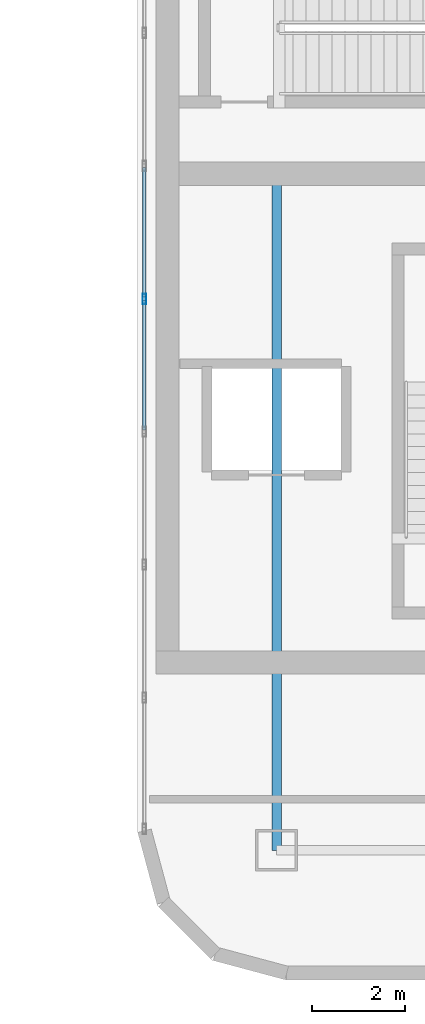
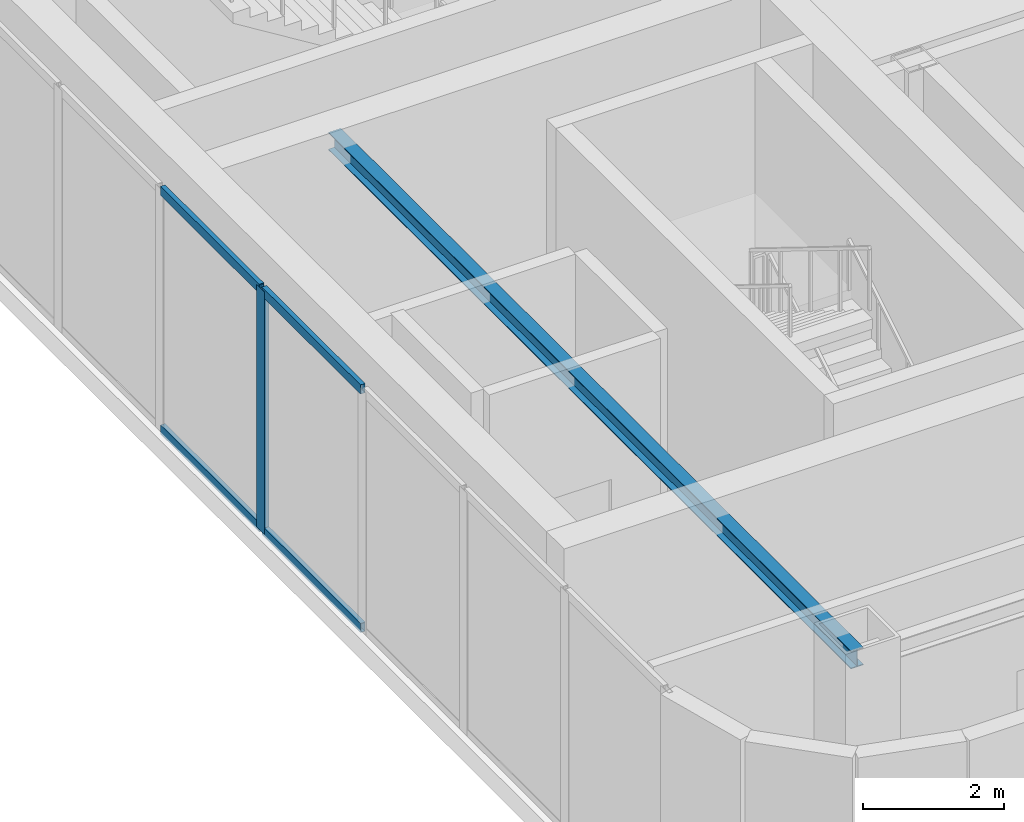
# One storey, part 3 of 13: 5 members, 1 beam, 1 element without a shape of its own.
"""IFC4 building model written with IfcOpenShell, lengths in metres."""

from ifc_helpers import new_model, si_unit, direction, frame, origin, origin_2d, place, context, subcontext, project, spatial, hollow_rectangle, i_section, extrude, material, layer, layer_set, material_profile, profile_set, type_object, element, aggregate, save


model = new_model("IFC4")

# Units and contexts
model_context = context("Model", 3, precision=1e-05, world=origin(), true_north=direction((0.0, 1.0)))
body_context = subcontext(model_context, "Body", "Model", "MODEL_VIEW")
ifc_project = project(units=[si_unit("LENGTHUNIT", "METRE"), si_unit("AREAUNIT", "SQUARE_METRE"), si_unit("VOLUMEUNIT", "CUBIC_METRE"), si_unit("PLANEANGLEUNIT", "RADIAN"), si_unit("MASSUNIT", "GRAM", prefix="KILO")], contexts=[model_context])

# Site, building, storey
site_placement = place(None, origin())
site = spatial("IfcSite", under=ifc_project, at=site_placement, CompositionType="ELEMENT")
building_placement = place(site_placement, origin())
building = spatial("IfcBuilding", under=site, at=building_placement, Name="Kiyonajd Concourse Tower", CompositionType="ELEMENT")
storey_placement = place(building_placement, frame((0.0, 0.0, 363.89990234375)))
storey = spatial("IfcBuildingStorey", under=building, at=storey_placement, Name="L91", CompositionType="ELEMENT", Elevation=363.89990234375)

# Beam
ifc_material_1 = material(Name="Steel ASTM A992 Grade 50", Category="steel")
ifc_material_profile_1 = material_profile(ifc_material_1, i_section(OverallWidth=0.2041015625, OverallDepth=0.305908203125, WebThickness=0.008544921875, FlangeThickness=0.0146484375, at=origin_2d()), Name="W310X67")
ifc_profile_set_1 = profile_set([ifc_material_profile_1], Name="Steel ASTM A992 Grade 50")
beam_type = type_object("IfcBeamType", Name="BM-CRN-310", PredefinedType="BEAM", material=ifc_profile_set_1)
beam_placement = place(storey_placement, frame((56.39990234375, 23.800048828125, 4.007080078125), z_axis=(0.0, 1.0, 0.0), x_axis=(-1.0, 0.0, 0.0)))
element("IfcBeam", 1, at=beam_placement, inside=storey, type_object=beam_type, Name="L91 E Crown Ring Beam 4S", PredefinedType="BEAM", context=body_context, shape_type="SweptSolid", body=[
    extrude(i_section(OverallWidth=0.2041015625, OverallDepth=0.305908203125, WebThickness=0.008544921875, FlangeThickness=0.0146484375, at=origin_2d()), origin(), (0.0, 0.0, 1.0), 14.800048828125),
])

# Curtain wall, members
ifc_material_2 = material(Name="Thermally Broken Anodised Aluminium", Category="aluminium")
ifc_layer = layer(ifc_material_2, 0.179931640625)
ifc_layer_set = layer_set([ifc_layer], Name="Thermally Broken Anodised Aluminium")
curtain_wall_type = type_object("IfcCurtainWallType", Name="CW-SYS-06", PredefinedType="NOTDEFINED", material=ifc_layer_set)
curtain_wall_placement = place(storey_placement, origin())
curtain_wall = element("IfcCurtainWall", 2, at=curtain_wall_placement, inside=storey, type_object=curtain_wall_type, Name="L91 Unitised Curtain Wall CW6", PredefinedType="NOTDEFINED")
ifc_material_profile_2 = material_profile(ifc_material_2, hollow_rectangle(XDim=0.074951171875, YDim=0.219970703125, WallThickness=0.0048828125, at=origin_2d()), Name="MULL-75x220")
ifc_profile_set_2 = profile_set([ifc_material_profile_2], Name="Thermally Broken Anodised Aluminium")
member_type_1 = type_object("IfcMemberType", Name="MB-CW-MULL2", PredefinedType="MULLION", material=ifc_profile_set_2)
member_1_placement = place(storey_placement, frame((53.550048828125, 35.699951171875, 0.0), z_axis=(0.0, 0.0, 1.0), x_axis=(-1.0, 0.0, 0.0)))
member_1 = element("IfcMember", 3, at=member_1_placement, type_object=member_type_1, Name="CW6 mullion 5", PredefinedType="MULLION", context=body_context, shape_type="SweptSolid", body=[
    extrude(hollow_rectangle(XDim=0.074951171875, YDim=0.219970703125, WallThickness=0.0048828125, at=origin_2d()), origin(), (0.0, 0.0, 1.0), 4.2001953125),
])
ifc_material_profile_3 = material_profile(ifc_material_2, hollow_rectangle(XDim=0.074951171875, YDim=0.159912109375, WallThickness=0.0048828125, at=origin_2d()), Name="TRAN-75x160")
ifc_profile_set_3 = profile_set([ifc_material_profile_3], Name="Thermally Broken Anodised Aluminium")
member_type_2 = type_object("IfcMemberType", Name="MB-CW-TRAN2", PredefinedType="USERDEFINED", material=ifc_profile_set_3)
member_2_placement = place(storey_placement, frame((53.550048828125, 32.867431640625, 0.03759765625), z_axis=(0.0, 1.0, 0.0), x_axis=(-1.0, 0.0, 0.0)))
member_2 = element("IfcMember", 4, at=member_2_placement, type_object=member_type_2, Name="CW6 transom 4.1", ObjectType="TRANSOM", PredefinedType="USERDEFINED", context=body_context, shape_type="SweptSolid", body=[
    extrude(hollow_rectangle(XDim=0.074951171875, YDim=0.159912109375, WallThickness=0.0048828125, at=origin_2d()), origin(), (0.0, 0.0, 1.0), 2.795166015625),
])
member_3_placement = place(storey_placement, frame((53.550048828125, 32.867431640625, 4.16259765625), z_axis=(0.0, 1.0, 0.0), x_axis=(-1.0, 0.0, 0.0)))
member_3 = element("IfcMember", 5, at=member_3_placement, type_object=member_type_2, Name="CW6 transom 4.2", ObjectType="TRANSOM", PredefinedType="USERDEFINED", context=body_context, shape_type="SweptSolid", body=[
    extrude(hollow_rectangle(XDim=0.074951171875, YDim=0.159912109375, WallThickness=0.0048828125, at=origin_2d()), origin(), (0.0, 0.0, 1.0), 2.795166015625),
])
member_4_placement = place(storey_placement, frame((53.550048828125, 35.737548828125, 0.03759765625), z_axis=(0.0, 1.0, 0.0), x_axis=(-1.0, 0.0, 0.0)))
member_4 = element("IfcMember", 6, at=member_4_placement, type_object=member_type_2, Name="CW6 transom 5.1", ObjectType="TRANSOM", PredefinedType="USERDEFINED", context=body_context, shape_type="SweptSolid", body=[
    extrude(hollow_rectangle(XDim=0.074951171875, YDim=0.159912109375, WallThickness=0.0048828125, at=origin_2d()), origin(), (0.0, 0.0, 1.0), 2.794921875),
])
member_5_placement = place(storey_placement, frame((53.550048828125, 35.737548828125, 4.16259765625), z_axis=(0.0, 1.0, 0.0), x_axis=(-1.0, 0.0, 0.0)))
member_5 = element("IfcMember", 7, at=member_5_placement, type_object=member_type_2, Name="CW6 transom 5.2", ObjectType="TRANSOM", PredefinedType="USERDEFINED", context=body_context, shape_type="SweptSolid", body=[
    extrude(hollow_rectangle(XDim=0.074951171875, YDim=0.159912109375, WallThickness=0.0048828125, at=origin_2d()), origin(), (0.0, 0.0, 1.0), 2.794921875),
])
aggregate(curtain_wall, [member_1, member_2, member_3, member_4, member_5])

save(model, "model.ifc")
